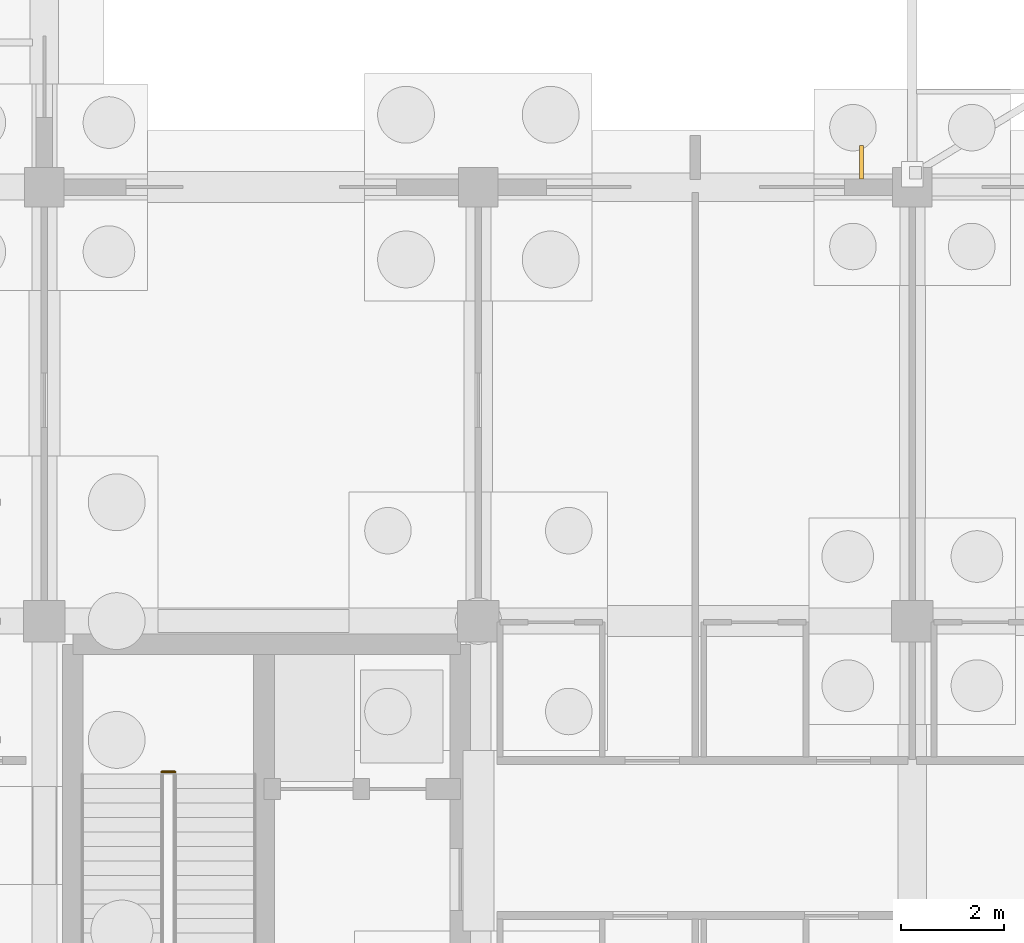
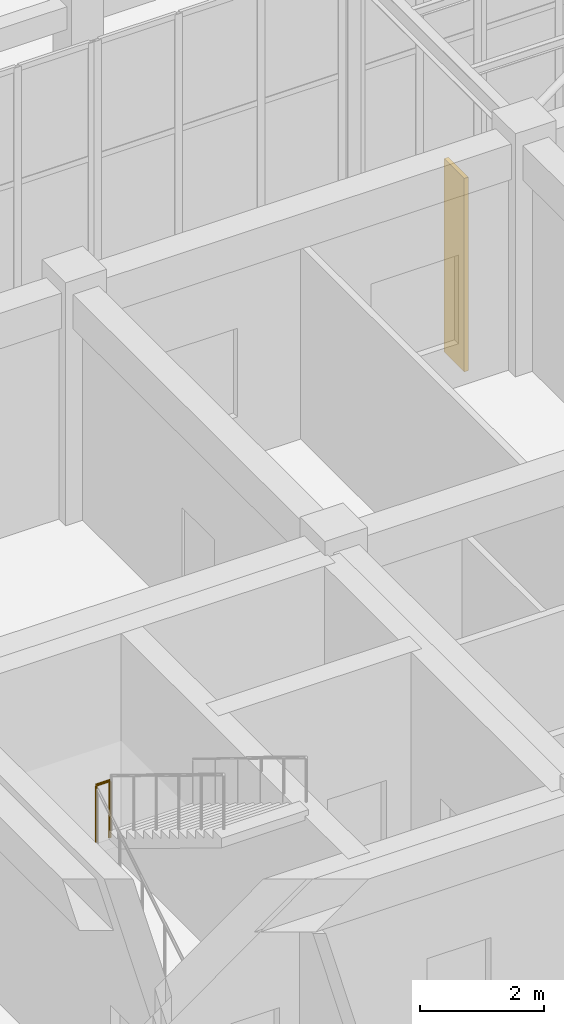
# One storey, part 178 of 192: 1 railing, 1 shading device.
"""IFC4 building model written with IfcOpenShell, lengths in metres."""

from ifc_helpers import new_model, si_unit, direction, frame, origin, origin_2d, place, context, subcontext, project, spatial, rectangle, circle, extrude, material, type_object, element, save


model = new_model("IFC4")

# Units and contexts
model_context = context("Model", 3, precision=1e-05, world=origin(), true_north=direction((0.0, 1.0)))
body_context = subcontext(model_context, "Body", "Model", "MODEL_VIEW")
ifc_project = project(units=[si_unit("LENGTHUNIT", "METRE"), si_unit("AREAUNIT", "SQUARE_METRE"), si_unit("VOLUMEUNIT", "CUBIC_METRE"), si_unit("PLANEANGLEUNIT", "RADIAN"), si_unit("MASSUNIT", "GRAM", prefix="KILO")], contexts=[model_context])

# Site, building, storey
site_placement = place(None, origin())
site = spatial("IfcSite", under=ifc_project, at=site_placement, CompositionType="ELEMENT")
building_placement = place(site_placement, origin())
building = spatial("IfcBuilding", under=site, at=building_placement, Name="Trelvath General Hospital", CompositionType="ELEMENT")
storey_placement = place(building_placement, origin())
storey = spatial("IfcBuildingStorey", under=building, at=storey_placement, Name="L00", CompositionType="ELEMENT", Elevation=0.0)

# Railing
ifc_material_1 = material(Name="Architectural painted steel", Category="steel")
railing_type = type_object("IfcRailingType", Name="Guardrail Terrace1150", PredefinedType="GUARDRAIL", material=ifc_material_1)
railing_placement = place(storey_placement, frame((44.27001953125, 13.8798828125, 2.39990234375)))
element("IfcRailing", 1, at=railing_placement, inside=storey, type_object=railing_type, Name="Half-Landing Well Guard ST4 L00 125", PredefinedType="GUARDRAIL", context=body_context, shape_type="SweptSolid", body=[
    extrude(circle(Radius=0.02392578125, at=origin_2d()), frame((0.0, 0.0, 1.1259765625), z_axis=(1.0, 0.0, 0.0), x_axis=(0.0, 1.0, 0.0)), (0.0, 0.0, 1.0), 0.260009765625),
    extrude(circle(Radius=0.02099609375, at=origin_2d()), origin(), (0.0, 0.0, 1.0), 1.099853515625),
    extrude(circle(Radius=0.02099609375, at=origin_2d()), frame((0.260009765625, 0.0, 0.0)), (0.0, 0.0, 1.0), 1.099853515625),
])

# Shading device
ifc_material_2 = material(Name="Anodised aluminium", Category="aluminium")
shading_device_type = type_object("IfcShadingDeviceType", Name="SolarScreen PerforatedAlu", PredefinedType="JALOUSIE", material=ifc_material_2)
shading_device_placement = place(storey_placement, frame((57.81298828125, 25.679931640625, 0.0), z_axis=(0.0, 0.0, 1.0), x_axis=(0.0, 1.0, 0.0)))
element("IfcShadingDevice", 2, at=shading_device_placement, inside=storey, type_object=shading_device_type, Name="Solar Brise-Soleil Screen L00-8", PredefinedType="JALOUSIE", context=body_context, shape_type="SweptSolid", body=[
    extrude(rectangle(XDim=0.64990234375, YDim=0.080078125, at=origin_2d()), origin(), (0.0, 0.0, 1.0), 3.820068359375),
])

save(model, "model.ifc")
